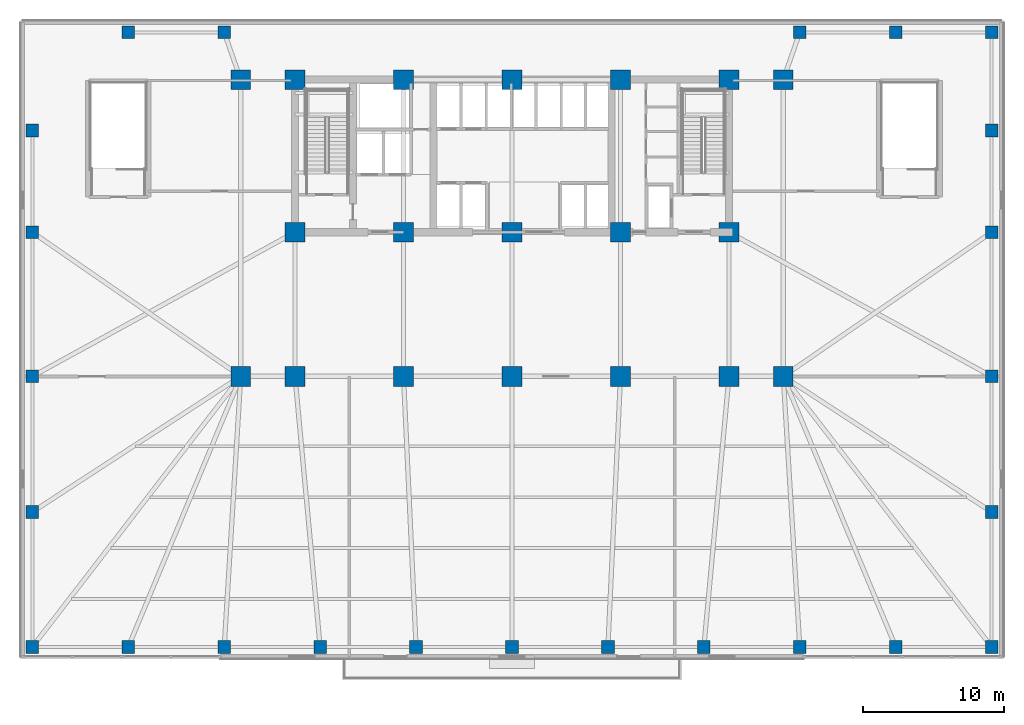
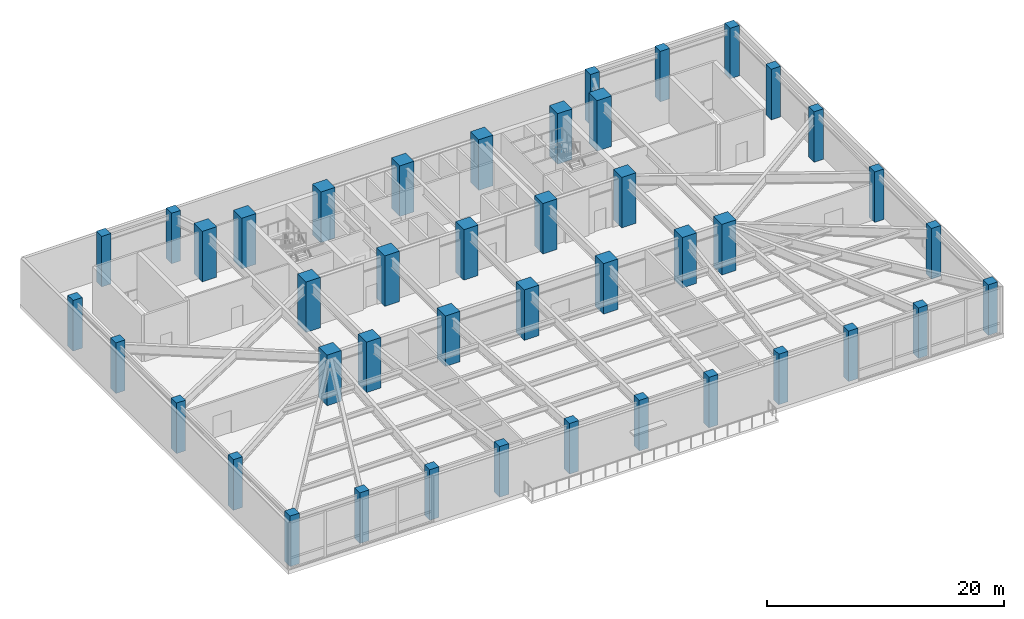
# One storey, part 1 of 15: 43 columns.
"""IFC4 building model written with IfcOpenShell, lengths in metres."""

from ifc_helpers import new_model, si_unit, direction, frame, origin, origin_2d, place, context, subcontext, project, spatial, rectangle, extrude, material, material_profile, profile_set, type_object, element, save


model = new_model("IFC4")

# Units and contexts
model_context = context("Model", 3, precision=1e-05, world=origin(), true_north=direction((0.0, 1.0)))
body_context = subcontext(model_context, "Body", "Model", "MODEL_VIEW")
ifc_project = project(units=[si_unit("LENGTHUNIT", "METRE"), si_unit("AREAUNIT", "SQUARE_METRE"), si_unit("VOLUMEUNIT", "CUBIC_METRE"), si_unit("PLANEANGLEUNIT", "RADIAN"), si_unit("MASSUNIT", "GRAM", prefix="KILO")], contexts=[model_context])

# Site, building, storey
site_placement = place(None, origin())
site = spatial("IfcSite", under=ifc_project, at=site_placement, CompositionType="ELEMENT")
building_placement = place(site_placement, origin())
building = spatial("IfcBuilding", under=site, at=building_placement, Name="Yelkora Congress Tower", CompositionType="ELEMENT")
storey_placement = place(building_placement, frame((0.0, 0.0, 25.199951171875)))
storey = spatial("IfcBuildingStorey", under=building, at=storey_placement, Name="L05", CompositionType="ELEMENT", Elevation=25.199951171875)

# Columns
ifc_material_1 = material(Name="Concrete C60/75", Category="concrete")
ifc_material_profile_1 = material_profile(ifc_material_1, rectangle(XDim=1.39990234375, YDim=1.39990234375, at=origin_2d()), Name="RC 1400x1400")
ifc_profile_set_1 = profile_set([ifc_material_profile_1], Name="Concrete C60/75")
column_type_1 = type_object("IfcColumnType", Name="COL-RC-1400", PredefinedType="COLUMN", material=ifc_profile_set_1)
for number, where, z_axis, x_axis, name in (
    (1, (23.0400390625, 35.39990234375, 0.0), (0.0, 0.0, 1.0), (1.0, 0.0, 0.0), "L05 Mega Column MC-S1"),
    (2, (23.0400390625, 46.199951171875, 0.0), (0.0, 0.0, 1.0), (1.0, 0.0, 0.0), "L05 Mega Column MC-N1"),
    (3, (23.0400390625, 25.199951171875, 0.0), (0.0, 0.0, 1.0), (1.0, 0.0, 0.0), "L05 Mega Column MC-D1"),
    (4, (30.719970703125, 35.39990234375, 0.0), (0.0, 0.0, 1.0), (1.0, 0.0, 0.0), "L05 Mega Column MC-S2"),
    (5, (30.719970703125, 46.199951171875, 0.0), (0.0, 0.0, 1.0), (1.0, 0.0, 0.0), "L05 Mega Column MC-N2"),
    (6, (30.719970703125, 25.199951171875, 0.0), (0.0, 0.0, 1.0), (1.0, 0.0, 0.0), "L05 Mega Column MC-D2"),
    (7, (38.39990234375, 35.39990234375, 0.0), (0.0, 0.0, 1.0), (1.0, 0.0, 0.0), "L05 Mega Column MC-S3"),
    (8, (38.39990234375, 46.199951171875, 0.0), (0.0, 0.0, 1.0), (1.0, 0.0, 0.0), "L05 Mega Column MC-N3"),
    (9, (38.39990234375, 25.199951171875, 0.0), (0.0, 0.0, 1.0), (1.0, 0.0, 0.0), "L05 Mega Column MC-D3"),
    (10, (46.080078125, 35.39990234375, 0.0), (0.0, 0.0, 1.0), (1.0, 0.0, 0.0), "L05 Mega Column MC-S4"),
    (11, (46.080078125, 46.199951171875, 0.0), (0.0, 0.0, 1.0), (1.0, 0.0, 0.0), "L05 Mega Column MC-N4"),
    (12, (46.080078125, 25.199951171875, 0.0), (0.0, 0.0, 1.0), (1.0, 0.0, 0.0), "L05 Mega Column MC-D4"),
    (13, (53.760009765625, 35.39990234375, 0.0), (0.0, 0.0, 1.0), (1.0, 0.0, 0.0), "L05 Mega Column MC-S5"),
    (14, (53.760009765625, 46.199951171875, 0.0), (0.0, 0.0, 1.0), (1.0, 0.0, 0.0), "L05 Mega Column MC-N5"),
    (15, (53.760009765625, 25.199951171875, 0.0), (0.0, 0.0, 1.0), (1.0, 0.0, 0.0), "L05 Mega Column MC-D5"),
    (16, (19.199951171875, 25.199951171875, 0.0), (0.0, 0.0, 1.0), (1.0, 0.0, 0.0), "L05 Mega Column MC-F1"),
    (17, (57.60009765625, 25.199951171875, 0.0), (0.0, 0.0, 1.0), (1.0, 0.0, 0.0), "L05 Mega Column MC-F2"),
    (18, (19.199951171875, 46.199951171875, 0.0), (0.0, 0.0, 1.0), (1.0, 0.0, 0.0), "L05 Mega Column MC-F3"),
    (19, (57.60009765625, 46.199951171875, 0.0), (0.0, 0.0, 1.0), (1.0, 0.0, 0.0), "L05 Mega Column MC-F4"),
):
    element("IfcColumn", number, at=place(storey_placement, frame(where, z_axis=z_axis, x_axis=x_axis)), inside=storey, type_object=column_type_1, Name=name, PredefinedType="COLUMN", context=body_context, shape_type="SweptSolid", body=[
        extrude(rectangle(XDim=1.39990234375, YDim=1.39990234375, at=origin_2d()), origin(), (0.0, 0.0, 1.0), 5.199951171875),
    ])
ifc_material_2 = material(Name="Concrete C50/60", Category="concrete")
ifc_material_profile_2 = material_profile(ifc_material_2, rectangle(XDim=0.89990234375, YDim=0.89990234375, at=origin_2d()), Name="RC 900x900")
ifc_profile_set_2 = profile_set([ifc_material_profile_2], Name="Concrete C50/60")
column_type_2 = type_object("IfcColumnType", Name="COL-RC-900-EXT", PredefinedType="COLUMN", material=ifc_profile_set_2)
for number, where, z_axis, x_axis, name in (
    (20, (4.449951171875, 6.050048828125, 0.0), (0.0, 0.0, 1.0), (1.0, 0.0, 0.0), "L05 Podium Column PS01"),
    (21, (11.239990234375, 6.050048828125, 0.0), (0.0, 0.0, 1.0), (1.0, 0.0, 0.0), "L05 Podium Column PS02"),
    (22, (11.239990234375, 49.550048828125, 0.0), (0.0, 0.0, 1.0), (1.0, 0.0, 0.0), "L05 Podium North Column PN02"),
    (23, (18.030029296875, 6.050048828125, 0.0), (0.0, 0.0, 1.0), (1.0, 0.0, 0.0), "L05 Podium Column PS03"),
    (24, (18.030029296875, 49.550048828125, 0.0), (0.0, 0.0, 1.0), (1.0, 0.0, 0.0), "L05 Podium North Column PN03"),
    (25, (24.820068359375, 6.050048828125, 0.0), (0.0, 0.0, 1.0), (1.0, 0.0, 0.0), "L05 Podium Column PS04"),
    (26, (31.610107421875, 6.050048828125, 0.0), (0.0, 0.0, 1.0), (1.0, 0.0, 0.0), "L05 Podium Column PS05"),
    (27, (38.39990234375, 6.050048828125, 0.0), (0.0, 0.0, 1.0), (1.0, 0.0, 0.0), "L05 Podium Column PS06"),
    (28, (45.18994140625, 6.050048828125, 0.0), (0.0, 0.0, 1.0), (1.0, 0.0, 0.0), "L05 Podium Column PS07"),
    (29, (51.97998046875, 6.050048828125, 0.0), (0.0, 0.0, 1.0), (1.0, 0.0, 0.0), "L05 Podium Column PS08"),
    (30, (58.77001953125, 6.050048828125, 0.0), (0.0, 0.0, 1.0), (1.0, 0.0, 0.0), "L05 Podium Column PS09"),
    (31, (58.77001953125, 49.550048828125, 0.0), (0.0, 0.0, 1.0), (1.0, 0.0, 0.0), "L05 Podium North Column PN09"),
    (32, (65.56005859375, 6.050048828125, 0.0), (0.0, 0.0, 1.0), (1.0, 0.0, 0.0), "L05 Podium Column PS10"),
    (33, (65.56005859375, 49.550048828125, 0.0), (0.0, 0.0, 1.0), (1.0, 0.0, 0.0), "L05 Podium North Column PN10"),
    (34, (72.35009765625, 6.050048828125, 0.0), (0.0, 0.0, 1.0), (1.0, 0.0, 0.0), "L05 Podium Column PS11"),
    (35, (72.35009765625, 49.550048828125, 0.0), (0.0, 0.0, 1.0), (1.0, 0.0, 0.0), "L05 Podium North Column PN11"),
    (36, (4.449951171875, 15.60009765625, 0.0), (0.0, 0.0, 1.0), (1.0, 0.0, 0.0), "L05 Podium Flank Column PW1"),
    (37, (72.35009765625, 15.60009765625, 0.0), (0.0, 0.0, 1.0), (1.0, 0.0, 0.0), "L05 Podium Flank Column PE1"),
    (38, (4.449951171875, 25.199951171875, 0.0), (0.0, 0.0, 1.0), (1.0, 0.0, 0.0), "L05 Podium Flank Column PW2"),
    (39, (72.35009765625, 25.199951171875, 0.0), (0.0, 0.0, 1.0), (1.0, 0.0, 0.0), "L05 Podium Flank Column PE2"),
    (40, (4.449951171875, 35.39990234375, 0.0), (0.0, 0.0, 1.0), (1.0, 0.0, 0.0), "L05 Podium Flank Column PW3"),
    (41, (72.35009765625, 35.39990234375, 0.0), (0.0, 0.0, 1.0), (1.0, 0.0, 0.0), "L05 Podium Flank Column PE3"),
    (42, (4.449951171875, 42.60009765625, 0.0), (0.0, 0.0, 1.0), (1.0, 0.0, 0.0), "L05 Podium Flank Column PW4"),
    (43, (72.35009765625, 42.60009765625, 0.0), (0.0, 0.0, 1.0), (1.0, 0.0, 0.0), "L05 Podium Flank Column PE4"),
):
    element("IfcColumn", number, at=place(storey_placement, frame(where, z_axis=z_axis, x_axis=x_axis)), inside=storey, type_object=column_type_2, Name=name, PredefinedType="COLUMN", context=body_context, shape_type="SweptSolid", body=[
        extrude(rectangle(XDim=0.89990234375, YDim=0.89990234375, at=origin_2d()), origin(), (0.0, 0.0, 1.0), 5.199951171875),
    ])

save(model, "model.ifc")
